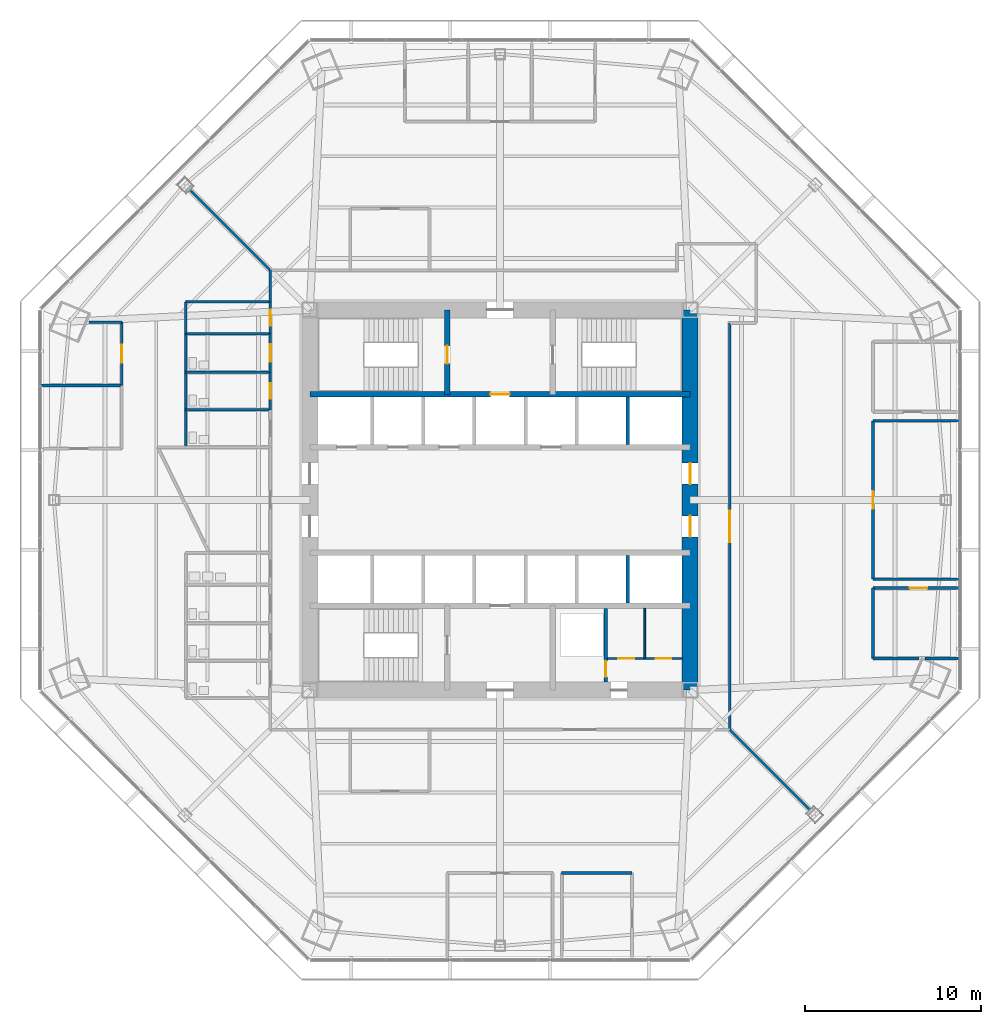
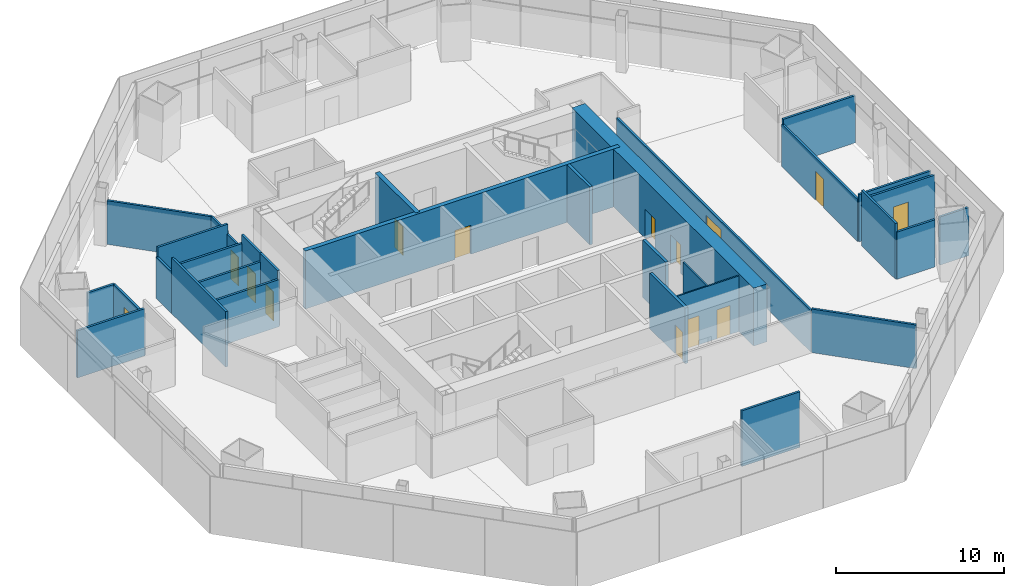
# One storey, part 10 of 15: 32 walls, 14 doors, 14 openings.
"""IFC4 building model written with IfcOpenShell, lengths in metres."""

from ifc_helpers import new_model, si_unit, direction, frame, frame_2d, origin, place, context, subcontext, project, spatial, rectangle, extrude, material, layer, layer_set, type_object, element, fill, save


model = new_model("IFC4")

# Units and contexts
model_context = context("Model", 3, precision=1e-05, world=origin(), true_north=direction((0.0, 1.0)))
body_context = subcontext(model_context, "Body", "Model", "MODEL_VIEW")
ifc_project = project(units=[si_unit("LENGTHUNIT", "METRE"), si_unit("AREAUNIT", "SQUARE_METRE"), si_unit("VOLUMEUNIT", "CUBIC_METRE"), si_unit("PLANEANGLEUNIT", "RADIAN"), si_unit("MASSUNIT", "GRAM", prefix="KILO")], contexts=[model_context])

# Site, building, storey
site_placement = place(None, origin())
site = spatial("IfcSite", under=ifc_project, at=site_placement, CompositionType="ELEMENT")
building_placement = place(site_placement, origin())
building = spatial("IfcBuilding", under=site, at=building_placement, Name="Mashrafa Tower", CompositionType="ELEMENT")
storey_placement = place(building_placement, frame((0.0, 0.0, 66.60009765625)))
storey = spatial("IfcBuildingStorey", under=building, at=storey_placement, Name="L14", CompositionType="ELEMENT", Elevation=66.60009765625)

# Wall, opening, door
ifc_material_1 = material(Name="Concrete masonry unit", Category="masonry")
ifc_layer_1 = layer(ifc_material_1, 0.199951171875)
ifc_layer_set_1 = layer_set([ifc_layer_1], Name="Blockwork wall 200 2 hr")
wall_type_1 = type_object("IfcWallType", Name="Blockwork wall 200 2 hr", PredefinedType="PARTITIONING", material=ifc_layer_set_1)
wall_1_placement = place(storey_placement, frame((6.0, -10.35009765625, 0.0), z_axis=(0.0, 0.0, 1.0), x_axis=(0.0, 1.0, 0.0)))
wall_1 = element("IfcWall", 1, at=wall_1_placement, inside=storey, type_object=wall_type_1, Name="Riser enclosure wall L14", PredefinedType="PARTITIONING", context=body_context, shape_type="SweptSolid", body=[
    extrude(rectangle(XDim=4.2001953125, YDim=0.199951171875, at=frame_2d((2.10009765625, 0.0))), origin(), (0.0, 0.0, 1.0), 4.034912109375),
])
opening_1_placement = place(wall_1_placement, frame((0.300048828125, 0.0, 0.0)))
opening_1 = element("IfcOpeningElement", 2, at=opening_1_placement, cuts=wall_1, Name="Opening 14.034", PredefinedType="OPENING", context=body_context, shape_type="SweptSolid", body=[
    extrude(rectangle(XDim=0.89990234375, YDim=2.10009765625, at=frame_2d((0.449951171875, 1.050048828125))), frame((0.0, 0.10986328125, 0.0), z_axis=(0.0, -1.0, 0.0), x_axis=(1.0, 0.0, 0.0)), (0.0, 0.0, 1.0), 0.219970703125),
])
ifc_material_2 = material(Name="Steel door", Category="steel")
door_type_1 = type_object("IfcDoorType", Name="Service door 900 x 2100 90 min", OperationType="USERDEFINED", PredefinedType="DOOR", material=ifc_material_2)
door_1_placement = place(opening_1_placement, origin())
door_1 = element("IfcDoor", 3, at=door_1_placement, inside=storey, type_object=door_type_1, Name="Riser door L14", OperationType="SINGLE_SWING_LEFT", OverallHeight=2.10009765625, OverallWidth=0.89990234375, PredefinedType="DOOR", context=body_context, shape_type="SweptSolid", body=[
    extrude(rectangle(XDim=0.89990234375, YDim=2.10009765625, at=frame_2d((0.449951171875, 1.050048828125))), frame((0.0, 0.02490234375, 0.0), z_axis=(0.0, -1.0, 0.0), x_axis=(1.0, 0.0, 0.0)), (0.0, 0.0, 1.0), 0.050048828125),
])
fill(opening_1, door_1)

ifc_material_3 = material(Name="Concrete C60/75", Category="concrete")
ifc_layer_2 = layer(ifc_material_3, 0.300048828125)
ifc_layer_set_2 = layer_set([ifc_layer_2], Name="Core wall 300 C60/75")
wall_type_2 = type_object("IfcWallType", Name="Core wall 300 C60/75", PredefinedType="SOLIDWALL", material=ifc_layer_set_2)
wall_2_placement = place(storey_placement, frame((-10.800048828125, 6.0, 0.0), z_axis=(0.0, 0.0, 1.0), x_axis=(1.0, 0.0, 0.0)))
wall_2 = element("IfcWall", 4, at=wall_2_placement, inside=storey, type_object=wall_type_2, Name="Core wall CB-N L14", PredefinedType="SOLIDWALL", context=body_context, shape_type="SweptSolid", body=[
    extrude(rectangle(XDim=21.60009765625, YDim=0.300048828125, at=frame_2d((10.800048828125, 0.0))), origin(), (0.0, 0.0, 1.0), 4.199951171875),
])
opening_2_placement = place(wall_2_placement, frame((10.25, 0.0, 0.0)))
opening_2 = element("IfcOpeningElement", 5, at=opening_2_placement, cuts=wall_2, Name="Opening 14.F1", PredefinedType="OPENING", context=body_context, shape_type="SweptSolid", body=[
    extrude(rectangle(XDim=1.10009765625, YDim=2.10009765625, at=frame_2d((0.550048828125, 1.050048828125))), frame((0.0, 0.159912109375, 0.0), z_axis=(0.0, -1.0, 0.0), x_axis=(1.0, 0.0, 0.0)), (0.0, 0.0, 1.0), 0.320068359375),
])
ifc_material_4 = material(Name="Steel door", Category="steel")
door_type_2 = type_object("IfcDoorType", Name="Lift landing door 1100 x 2100 90 min", OperationType="DOUBLE_DOOR_SLIDING", PredefinedType="DOOR", material=ifc_material_4)
door_2_placement = place(opening_2_placement, origin())
door_2 = element("IfcDoor", 6, at=door_2_placement, inside=storey, type_object=door_type_2, Name="Lift landing door F1 L14", OperationType="DOUBLE_DOOR_SLIDING", OverallHeight=2.10009765625, OverallWidth=1.10009765625, PredefinedType="DOOR", context=body_context, shape_type="SweptSolid", body=[
    extrude(rectangle(XDim=1.10009765625, YDim=2.10009765625, at=frame_2d((0.550048828125, 1.050048828125))), frame((0.0, 0.02490234375, 0.0), z_axis=(0.0, -1.0, 0.0), x_axis=(1.0, 0.0, 0.0)), (0.0, 0.0, 1.0), 0.050048828125),
])
fill(opening_2, door_2)

wall_3_placement = place(storey_placement, frame((-3.0, 6.0, 0.0), z_axis=(0.0, 0.0, 1.0), x_axis=(0.0, 1.0, 0.0)))
wall_3 = element("IfcWall", 7, at=wall_3_placement, inside=storey, type_object=wall_type_2, Name="Core wall CX-NW L14", PredefinedType="SOLIDWALL", context=body_context, shape_type="SweptSolid", body=[
    extrude(rectangle(XDim=4.800048828125, YDim=0.300048828125, at=frame_2d((2.39990234375, 0.0))), origin(), (0.0, 0.0, 1.0), 4.199951171875),
])
opening_3_placement = place(wall_3_placement, frame((1.75, 0.0, 0.0)))
opening_3 = element("IfcOpeningElement", 8, at=opening_3_placement, cuts=wall_3, Name="Opening 14.030", PredefinedType="OPENING", context=body_context, shape_type="SweptSolid", body=[
    extrude(rectangle(XDim=1.0, YDim=2.10009765625, at=frame_2d((0.5, 1.050048828125))), frame((0.0, 0.159912109375, 0.0), z_axis=(0.0, -1.0, 0.0), x_axis=(1.0, 0.0, 0.0)), (0.0, 0.0, 1.0), 0.320068359375),
])
ifc_material_5 = material(Name="Steel door", Category="steel")
door_type_3 = type_object("IfcDoorType", Name="Stair door 1000 x 2100 90 min", OperationType="USERDEFINED", PredefinedType="DOOR", material=ifc_material_5)
door_3_placement = place(opening_3_placement, origin())
door_3 = element("IfcDoor", 9, at=door_3_placement, inside=storey, type_object=door_type_3, Name="Stair S1 door L14", OperationType="SINGLE_SWING_LEFT", OverallHeight=2.10009765625, OverallWidth=1.0, PredefinedType="DOOR", context=body_context, shape_type="SweptSolid", body=[
    extrude(rectangle(XDim=1.0, YDim=2.10009765625, at=frame_2d((0.5, 1.050048828125))), frame((0.0, 0.02490234375, 0.0), z_axis=(0.0, -1.0, 0.0), x_axis=(1.0, 0.0, 0.0)), (0.0, 0.0, 1.0), 0.050048828125),
])
fill(opening_3, door_3)

# Wall, openings, doors
ifc_material_6 = material(Name="Concrete C60/75", Category="concrete")
ifc_layer_3 = layer(ifc_material_6, 0.89990234375)
ifc_layer_set_3 = layer_set([ifc_layer_3], Name="Core wall 900 C60/75")
wall_type_3 = type_object("IfcWallType", Name="Core wall 900 C60/75", PredefinedType="SOLIDWALL", material=ifc_layer_set_3)
wall_4_placement = place(storey_placement, frame((10.800048828125, -10.800048828125, 0.0), z_axis=(0.0, 0.0, 1.0), x_axis=(0.0, 1.0, 0.0)))
wall_4 = element("IfcWall", 10, at=wall_4_placement, inside=storey, type_object=wall_type_3, Name="Core wall CW-E L14", PredefinedType="SOLIDWALL", context=body_context, shape_type="SweptSolid", body=[
    extrude(rectangle(XDim=21.60009765625, YDim=0.89990234375, at=frame_2d((10.800048828125, 0.0))), origin(), (0.0, 0.0, 1.0), 4.199951171875),
])
opening_4_placement = place(wall_4_placement, frame((11.699951171875, 0.0, 0.0)))
opening_4 = element("IfcOpeningElement", 11, at=opening_4_placement, cuts=wall_4, Name="Opening 14.024", PredefinedType="OPENING", context=body_context, shape_type="SweptSolid", body=[
    extrude(rectangle(XDim=1.199951171875, YDim=2.10009765625, at=frame_2d((0.60009765625, 1.050048828125))), frame((0.0, 0.4599609375, 0.0), z_axis=(0.0, -1.0, 0.0), x_axis=(1.0, 0.0, 0.0)), (0.0, 0.0, 1.0), 0.919921875),
])
opening_5_placement = place(wall_4_placement, frame((8.699951171875, 0.0, 0.0)))
opening_5 = element("IfcOpeningElement", 12, at=opening_5_placement, cuts=wall_4, Name="Opening 14.026", PredefinedType="OPENING", context=body_context, shape_type="SweptSolid", body=[
    extrude(rectangle(XDim=1.199951171875, YDim=2.10009765625, at=frame_2d((0.60009765625, 1.050048828125))), frame((0.0, 0.4599609375, 0.0), z_axis=(0.0, -1.0, 0.0), x_axis=(1.0, 0.0, 0.0)), (0.0, 0.0, 1.0), 0.919921875),
])
ifc_material_7 = material(Name="Steel door", Category="steel")
door_type_4 = type_object("IfcDoorType", Name="Lift hall door 1200 x 2100 90 min", OperationType="USERDEFINED", PredefinedType="DOOR", material=ifc_material_7)
door_4_placement = place(opening_4_placement, frame((1.199951171875, 0.0, 0.0), z_axis=(0.0, 0.0, 1.0), x_axis=(-1.0, 0.0, 0.0)))
door_4 = element("IfcDoor", 13, at=door_4_placement, inside=storey, type_object=door_type_4, Name="Lift hall door east L14", OperationType="SINGLE_SWING_LEFT", OverallHeight=2.10009765625, OverallWidth=1.199951171875, PredefinedType="DOOR", context=body_context, shape_type="SweptSolid", body=[
    extrude(rectangle(XDim=1.199951171875, YDim=2.10009765625, at=frame_2d((0.60009765625, 1.050048828125))), frame((0.0, 0.02490234375, 0.0), z_axis=(0.0, -1.0, 0.0), x_axis=(1.0, 0.0, 0.0)), (0.0, 0.0, 1.0), 0.050048828125),
])
fill(opening_4, door_4)
door_5_placement = place(opening_5_placement, origin())
door_5 = element("IfcDoor", 14, at=door_5_placement, inside=storey, type_object=door_type_4, Name="Lift hall door east L14", OperationType="SINGLE_SWING_LEFT", OverallHeight=2.10009765625, OverallWidth=1.199951171875, PredefinedType="DOOR", context=body_context, shape_type="SweptSolid", body=[
    extrude(rectangle(XDim=1.199951171875, YDim=2.10009765625, at=frame_2d((0.60009765625, 1.050048828125))), frame((0.0, 0.02490234375, 0.0), z_axis=(0.0, -1.0, 0.0), x_axis=(1.0, 0.0, 0.0)), (0.0, 0.0, 1.0), 0.050048828125),
])
fill(opening_5, door_5)

# Wall, opening, door
ifc_material_8 = material(Name="Gypsum board on steel studs", Category="steel")
ifc_layer_4 = layer(ifc_material_8, 0.14990234375)
ifc_layer_set_4 = layer_set([ifc_layer_4], Name="Corridor partition 150 1 hr")
wall_type_4 = type_object("IfcWallType", Name="Corridor partition 150 1 hr", PredefinedType="PARTITIONING", material=ifc_layer_set_4)
wall_5_placement = place(storey_placement, frame((-13.050048828125, 7.2509765625, 0.0), z_axis=(0.0, 0.0, 1.0), x_axis=(0.0, -1.0, 0.0)))
wall_5 = element("IfcWall", 15, at=wall_5_placement, inside=storey, type_object=wall_type_4, Name="Corridor wall L14-002", PredefinedType="PARTITIONING", context=body_context, shape_type="SweptSolid", body=[
    extrude(rectangle(XDim=2.126953125, YDim=0.14990234375, at=frame_2d((1.0634765625, 0.0))), origin(), (0.0, 0.0, 1.0), 4.034912109375),
])
opening_6_placement = place(wall_5_placement, frame((0.613525390625, 0.0, 0.0)))
opening_6 = element("IfcOpeningElement", 16, at=opening_6_placement, cuts=wall_5, Name="Opening 14.002", PredefinedType="OPENING", context=body_context, shape_type="SweptSolid", body=[
    extrude(rectangle(XDim=0.89990234375, YDim=2.10009765625, at=frame_2d((0.449951171875, 1.050048828125))), frame((0.0, 0.0849609375, 0.0), z_axis=(0.0, -1.0, 0.0), x_axis=(1.0, 0.0, 0.0)), (0.0, 0.0, 1.0), 0.169921875),
])
ifc_material_9 = material(Name="Timber door", Category="wood")
door_type_5 = type_object("IfcDoorType", Name="Toilet door 900 x 2100", OperationType="USERDEFINED", PredefinedType="DOOR", material=ifc_material_9)
door_6_placement = place(opening_6_placement, frame((0.89990234375, 0.0, 0.0), z_axis=(0.0, 0.0, 1.0), x_axis=(-1.0, 0.0, 0.0)))
door_6 = element("IfcDoor", 17, at=door_6_placement, inside=storey, type_object=door_type_5, Name="WC Male L14 N door", OperationType="SINGLE_SWING_LEFT", OverallHeight=2.10009765625, OverallWidth=0.89990234375, PredefinedType="DOOR", context=body_context, shape_type="SweptSolid", body=[
    extrude(rectangle(XDim=0.89990234375, YDim=2.10009765625, at=frame_2d((0.449951171875, 1.050048828125))), frame((0.0, 0.02490234375, 0.0), z_axis=(0.0, -1.0, 0.0), x_axis=(1.0, 0.0, 0.0)), (0.0, 0.0, 1.0), 0.050048828125),
])
fill(opening_6, door_6)

wall_6_placement = place(storey_placement, frame((-13.050048828125, 9.450927734375, 0.0), z_axis=(0.0, 0.0, 1.0), x_axis=(0.0, -1.0, 0.0)))
wall_6 = element("IfcWall", 18, at=wall_6_placement, inside=storey, type_object=wall_type_4, Name="Corridor wall L14-003", PredefinedType="PARTITIONING", context=body_context, shape_type="SweptSolid", body=[
    extrude(rectangle(XDim=2.201904296875, YDim=0.14990234375, at=frame_2d((1.10107421875, 0.0))), origin(), (0.0, 0.0, 1.0), 4.034912109375),
])
opening_7_placement = place(wall_6_placement, frame((0.60107421875, 0.0, 0.0)))
opening_7 = element("IfcOpeningElement", 19, at=opening_7_placement, cuts=wall_6, Name="Opening 14.003", PredefinedType="OPENING", context=body_context, shape_type="SweptSolid", body=[
    extrude(rectangle(XDim=1.0, YDim=2.10009765625, at=frame_2d((0.5, 1.050048828125))), frame((0.0, 0.0849609375, 0.0), z_axis=(0.0, -1.0, 0.0), x_axis=(1.0, 0.0, 0.0)), (0.0, 0.0, 1.0), 0.169921875),
])
ifc_material_10 = material(Name="Timber door", Category="wood")
door_type_6 = type_object("IfcDoorType", Name="Accessible toilet door 1000 x 2100", OperationType="USERDEFINED", PredefinedType="DOOR", material=ifc_material_10)
door_7_placement = place(opening_7_placement, frame((1.0, 0.0, 0.0), z_axis=(0.0, 0.0, 1.0), x_axis=(-1.0, 0.0, 0.0)))
door_7 = element("IfcDoor", 20, at=door_7_placement, inside=storey, type_object=door_type_6, Name="Accessible WC L14 N door", OperationType="SINGLE_SWING_RIGHT", OverallHeight=2.10009765625, OverallWidth=1.0, PredefinedType="DOOR", context=body_context, shape_type="SweptSolid", body=[
    extrude(rectangle(XDim=1.0, YDim=2.10009765625, at=frame_2d((0.5, 1.050048828125))), frame((0.0, 0.02490234375, 0.0), z_axis=(0.0, -1.0, 0.0), x_axis=(1.0, 0.0, 0.0)), (0.0, 0.0, 1.0), 0.050048828125),
])
fill(opening_7, door_7)

wall_7_placement = place(storey_placement, frame((-13.050048828125, 11.2509765625, 0.0), z_axis=(0.0, 0.0, 1.0), x_axis=(0.0, -1.0, 0.0)))
wall_7 = element("IfcWall", 21, at=wall_7_placement, inside=storey, type_object=wall_type_4, Name="Corridor wall L14-004", PredefinedType="PARTITIONING", context=body_context, shape_type="SweptSolid", body=[
    extrude(rectangle(XDim=1.802001953125, YDim=0.14990234375, at=frame_2d((0.90087890625, 0.0))), origin(), (0.0, 0.0, 1.0), 3.013916015625),
])
opening_8_placement = place(wall_7_placement, frame((0.450927734375, 0.0, 0.0)))
opening_8 = element("IfcOpeningElement", 22, at=opening_8_placement, cuts=wall_7, Name="Opening 14.004", PredefinedType="OPENING", context=body_context, shape_type="SweptSolid", body=[
    extrude(rectangle(XDim=0.89990234375, YDim=2.10009765625, at=frame_2d((0.449951171875, 1.050048828125))), frame((0.0, 0.0849609375, 0.0), z_axis=(0.0, -1.0, 0.0), x_axis=(1.0, 0.0, 0.0)), (0.0, 0.0, 1.0), 0.169921875),
])
ifc_material_11 = material(Name="Timber door", Category="wood")
door_type_7 = type_object("IfcDoorType", Name="Store door 900 x 2100", OperationType="USERDEFINED", PredefinedType="DOOR", material=ifc_material_11)
door_8_placement = place(opening_8_placement, frame((0.89990234375, 0.0, 0.0), z_axis=(0.0, 0.0, 1.0), x_axis=(-1.0, 0.0, 0.0)))
door_8 = element("IfcDoor", 23, at=door_8_placement, inside=storey, type_object=door_type_7, Name="Cleaner's Store L14 N door", OperationType="SINGLE_SWING_LEFT", OverallHeight=2.10009765625, OverallWidth=0.89990234375, PredefinedType="DOOR", context=body_context, shape_type="SweptSolid", body=[
    extrude(rectangle(XDim=0.89990234375, YDim=2.10009765625, at=frame_2d((0.449951171875, 1.050048828125))), frame((0.0, 0.02490234375, 0.0), z_axis=(0.0, -1.0, 0.0), x_axis=(1.0, 0.0, 0.0)), (0.0, 0.0, 1.0), 0.050048828125),
])
fill(opening_8, door_8)

wall_8_placement = place(storey_placement, frame((13.050048828125, -13.050048828125, 0.0), z_axis=(0.0, 0.0, 1.0), x_axis=(0.0, 1.0, 0.0)))
wall_8 = element("IfcWall", 24, at=wall_8_placement, inside=storey, type_object=wall_type_4, Name="Corridor wall L14-013", PredefinedType="PARTITIONING", context=body_context, shape_type="SweptSolid", body=[
    extrude(rectangle(XDim=23.10009765625, YDim=0.14990234375, at=frame_2d((11.550048828125, 0.0))), origin(), (0.0, 0.0, 1.0), 3.013916015625),
])
opening_9_placement = place(wall_8_placement, frame((10.64990234375, 0.0, 0.0)))
opening_9 = element("IfcOpeningElement", 25, at=opening_9_placement, cuts=wall_8, Name="Opening 14.022", PredefinedType="OPENING", context=body_context, shape_type="SweptSolid", body=[
    extrude(rectangle(XDim=1.800048828125, YDim=2.39990234375, at=frame_2d((0.89990234375, 1.199951171875))), frame((0.0, 0.0849609375, 0.0), z_axis=(0.0, -1.0, 0.0), x_axis=(1.0, 0.0, 0.0)), (0.0, 0.0, 1.0), 0.169921875),
])
ifc_material_12 = material(Name="Timber door", Category="wood")
door_type_8 = type_object("IfcDoorType", Name="Door pair 1800 x 2400", OperationType="DOUBLE_DOOR_SINGLE_SWING", PredefinedType="DOOR", material=ifc_material_12)
door_9_placement = place(opening_9_placement, origin())
door_9 = element("IfcDoor", 26, at=door_9_placement, inside=storey, type_object=door_type_8, Name="Office Tenancy 14-A door", OperationType="DOUBLE_DOOR_SINGLE_SWING", OverallHeight=2.39990234375, OverallWidth=1.800048828125, PredefinedType="DOOR", context=body_context, shape_type="SweptSolid", body=[
    extrude(rectangle(XDim=1.800048828125, YDim=2.39990234375, at=frame_2d((0.89990234375, 1.199951171875))), frame((0.0, 0.02490234375, 0.0), z_axis=(0.0, -1.0, 0.0), x_axis=(1.0, 0.0, 0.0)), (0.0, 0.0, 1.0), 0.050048828125),
])
fill(opening_9, door_9)

# Wall
wall_9_placement = place(storey_placement, frame((-13.050048828125, 13.050048828125, 0.0), z_axis=(0.0, 0.0, 1.0), x_axis=(0.0, -1.0, 0.0)))
element("IfcWall", 27, at=wall_9_placement, inside=storey, type_object=wall_type_4, Name="Corridor wall L14-021", PredefinedType="PARTITIONING", context=body_context, shape_type="SweptSolid", body=[
    extrude(rectangle(XDim=1.801025390625, YDim=0.14990234375, at=frame_2d((0.900390625, 0.0))), origin(), (0.0, 0.0, 1.0), 3.16650390625),
])

# Wall, openings, doors
ifc_material_13 = material(Name="Gypsum board on steel studs", Category="steel")
ifc_layer_5 = layer(ifc_material_13, 0.10009765625)
ifc_layer_set_5 = layer_set([ifc_layer_5], Name="Partition 100 1 hr")
wall_type_5 = type_object("IfcWallType", Name="Partition 100 1 hr", PredefinedType="PARTITIONING", material=ifc_layer_set_5)
wall_10_placement = place(storey_placement, frame((6.10009765625, -9.0, 0.0), z_axis=(0.0, 0.0, 1.0), x_axis=(1.0, 0.0, 0.0)))
wall_10 = element("IfcWall", 28, at=wall_10_placement, inside=storey, type_object=wall_type_5, Name="Services lobby partition A L14", PredefinedType="PARTITIONING", context=body_context, shape_type="SweptSolid", body=[
    extrude(rectangle(XDim=4.25, YDim=0.10009765625, at=frame_2d((2.125, 0.0))), origin(), (0.0, 0.0, 1.0), 4.034912109375),
])
opening_10_placement = place(wall_10_placement, frame((0.612548828125, 0.0, 0.0)))
opening_10 = element("IfcOpeningElement", 29, at=opening_10_placement, cuts=wall_10, Name="Opening 14.035", PredefinedType="OPENING", context=body_context, shape_type="SweptSolid", body=[
    extrude(rectangle(XDim=0.89990234375, YDim=2.10009765625, at=frame_2d((0.449951171875, 1.050048828125))), frame((0.0, 0.06005859375, 0.0), z_axis=(0.0, -1.0, 0.0), x_axis=(1.0, 0.0, 0.0)), (0.0, 0.0, 1.0), 0.1201171875),
])
opening_11_placement = place(wall_10_placement, frame((2.737548828125, 0.0, 0.0)))
opening_11 = element("IfcOpeningElement", 30, at=opening_11_placement, cuts=wall_10, Name="Opening 14.036", PredefinedType="OPENING", context=body_context, shape_type="SweptSolid", body=[
    extrude(rectangle(XDim=0.89990234375, YDim=2.10009765625, at=frame_2d((0.449951171875, 1.050048828125))), frame((0.0, 0.06005859375, 0.0), z_axis=(0.0, -1.0, 0.0), x_axis=(1.0, 0.0, 0.0)), (0.0, 0.0, 1.0), 0.1201171875),
])
door_10_placement = place(opening_10_placement, origin())
door_10 = element("IfcDoor", 31, at=door_10_placement, inside=storey, type_object=door_type_7, Name="Communications Room L14 door", OperationType="SINGLE_SWING_RIGHT", OverallHeight=2.10009765625, OverallWidth=0.89990234375, PredefinedType="DOOR", context=body_context, shape_type="SweptSolid", body=[
    extrude(rectangle(XDim=0.89990234375, YDim=2.10009765625, at=frame_2d((0.449951171875, 1.050048828125))), frame((0.0, 0.02490234375, 0.0), z_axis=(0.0, -1.0, 0.0), x_axis=(1.0, 0.0, 0.0)), (0.0, 0.0, 1.0), 0.050048828125),
])
fill(opening_10, door_10)
door_11_placement = place(opening_11_placement, origin())
door_11 = element("IfcDoor", 32, at=door_11_placement, inside=storey, type_object=door_type_7, Name="Cleaner's Store L14 door", OperationType="SINGLE_SWING_LEFT", OverallHeight=2.10009765625, OverallWidth=0.89990234375, PredefinedType="DOOR", context=body_context, shape_type="SweptSolid", body=[
    extrude(rectangle(XDim=0.89990234375, YDim=2.10009765625, at=frame_2d((0.449951171875, 1.050048828125))), frame((0.0, 0.02490234375, 0.0), z_axis=(0.0, -1.0, 0.0), x_axis=(1.0, 0.0, 0.0)), (0.0, 0.0, 1.0), 0.050048828125),
])
fill(opening_11, door_11)

# Walls
wall_11_placement = place(storey_placement, frame((8.22509765625, -9.0, 0.0), z_axis=(0.0, 0.0, 1.0), x_axis=(0.0, 1.0, 0.0)))
element("IfcWall", 33, at=wall_11_placement, inside=storey, type_object=wall_type_5, Name="Services lobby partition B L14", PredefinedType="PARTITIONING", context=body_context, shape_type="SweptSolid", body=[
    extrude(rectangle(XDim=2.85009765625, YDim=0.10009765625, at=frame_2d((1.425048828125, 0.0))), origin(), (0.0, 0.0, 1.0), 4.034912109375),
])
ifc_material_14 = material(Name="Gypsum board on steel studs", Category="steel")
ifc_layer_6 = layer(ifc_material_14, 0.14990234375)
ifc_layer_set_6 = layer_set([ifc_layer_6], Name="Partition 150")
wall_type_6 = type_object("IfcWallType", Name="Partition 150", PredefinedType="PARTITIONING", material=ifc_layer_set_6)
wall_12_placement = place(storey_placement, frame((-13.050048828125, 5.125, 0.0), z_axis=(0.0, 0.0, 1.0), x_axis=(-1.0, 0.0, 0.0)))
element("IfcWall", 34, at=wall_12_placement, inside=storey, type_object=wall_type_6, Name="Partition wall L14-023", PredefinedType="PARTITIONING", context=body_context, shape_type="SweptSolid", body=[
    extrude(rectangle(XDim=4.800048828125, YDim=0.14990234375, at=frame_2d((2.39990234375, 0.0))), origin(), (0.0, 0.0, 1.0), 3.4228515625),
])
wall_13_placement = place(storey_placement, frame((-17.85009765625, 3.0, 0.0), z_axis=(0.0, 0.0, 1.0), x_axis=(0.0, 1.0, 0.0)))
element("IfcWall", 35, at=wall_13_placement, inside=storey, type_object=wall_type_6, Name="Partition wall L14-025", PredefinedType="PARTITIONING", context=body_context, shape_type="SweptSolid", body=[
    extrude(rectangle(XDim=6.449951171875, YDim=0.14990234375, at=frame_2d((3.22509765625, 0.0))), origin(), (0.0, 0.0, 1.0), 4.034912109375),
])
for number, where, z_axis, x_axis, name in (
    (36, (-13.050048828125, 7.25, 0.0), (0.0, 0.0, 1.0), (-1.0, 0.0, 0.0), "Partition wall L14-026"),
    (37, (-13.050048828125, 9.449951171875, 0.0), (0.0, 0.0, 1.0), (-1.0, 0.0, 0.0), "Partition wall L14-028"),
):
    element("IfcWall", number, at=place(storey_placement, frame(where, z_axis=z_axis, x_axis=x_axis)), inside=storey, type_object=wall_type_6, Name=name, PredefinedType="PARTITIONING", context=body_context, shape_type="SweptSolid", body=[
        extrude(rectangle(XDim=4.800048828125, YDim=0.14990234375, at=frame_2d((2.39990234375, 0.0))), origin(), (0.0, 0.0, 1.0), 3.4228515625),
    ])
wall_14_placement = place(storey_placement, frame((-13.050048828125, 11.25, 0.0), z_axis=(0.0, 0.0, 1.0), x_axis=(-1.0, 0.0, 0.0)))
element("IfcWall", 38, at=wall_14_placement, inside=storey, type_object=wall_type_6, Name="Partition wall L14-030", PredefinedType="PARTITIONING", context=body_context, shape_type="SweptSolid", body=[
    extrude(rectangle(XDim=4.800048828125, YDim=0.14990234375, at=frame_2d((2.39990234375, 0.0))), origin(), (0.0, 0.0, 1.0), 3.715087890625),
])
wall_15_placement = place(storey_placement, frame((-17.85009765625, 11.25, 0.0), z_axis=(0.0, 0.0, 1.0), x_axis=(0.0, -1.0, 0.0)))
element("IfcWall", 39, at=wall_15_placement, inside=storey, type_object=wall_type_6, Name="Partition wall L14-031", PredefinedType="PARTITIONING", context=body_context, shape_type="SweptSolid", body=[
    extrude(rectangle(XDim=1.800048828125, YDim=0.14990234375, at=frame_2d((0.89990234375, 0.0))), origin(), (0.0, 0.0, 1.0), 3.013916015625),
])
wall_16_placement = place(storey_placement, frame((26.11279296875, 4.5, 0.0), z_axis=(0.0, 0.0, 1.0), x_axis=(-1.0, 0.0, 0.0)))
element("IfcWall", 40, at=wall_16_placement, inside=storey, type_object=wall_type_6, Name="Partition wall L14-044", PredefinedType="PARTITIONING", context=body_context, shape_type="SweptSolid", body=[
    extrude(rectangle(XDim=4.93212890625, YDim=0.14990234375, at=frame_2d((2.466064453125, 0.0))), origin(), (0.0, 0.0, 1.0), 3.4228515625),
])

# Wall, opening, door
wall_17_placement = place(storey_placement, frame((21.1806640625, 4.5, 0.0), z_axis=(0.0, 0.0, 1.0), x_axis=(0.0, -1.0, 0.0)))
wall_17 = element("IfcWall", 41, at=wall_17_placement, inside=storey, type_object=wall_type_6, Name="Partition wall L14-045", PredefinedType="PARTITIONING", context=body_context, shape_type="SweptSolid", body=[
    extrude(rectangle(XDim=9.0, YDim=0.14990234375, at=frame_2d((4.5, 0.0))), origin(), (0.0, 0.0, 1.0), 3.064697265625),
])
opening_12_placement = place(wall_17_placement, frame((4.0, 0.0, 0.0)))
opening_12 = element("IfcOpeningElement", 42, at=opening_12_placement, cuts=wall_17, Name="Opening 14.010", PredefinedType="OPENING", context=body_context, shape_type="SweptSolid", body=[
    extrude(rectangle(XDim=1.0, YDim=2.10009765625, at=frame_2d((0.5, 1.050048828125))), frame((0.0, 0.0849609375, 0.0), z_axis=(0.0, -1.0, 0.0), x_axis=(1.0, 0.0, 0.0)), (0.0, 0.0, 1.0), 0.169921875),
])
ifc_material_15 = material(Name="Timber door", Category="wood")
door_type_9 = type_object("IfcDoorType", Name="Door 1000 x 2100", OperationType="USERDEFINED", PredefinedType="DOOR", material=ifc_material_15)
door_12_placement = place(opening_12_placement, origin())
door_12 = element("IfcDoor", 43, at=door_12_placement, inside=storey, type_object=door_type_9, Name="Meeting Room 14-A door", OperationType="SINGLE_SWING_LEFT", OverallHeight=2.10009765625, OverallWidth=1.0, PredefinedType="DOOR", context=body_context, shape_type="SweptSolid", body=[
    extrude(rectangle(XDim=1.0, YDim=2.10009765625, at=frame_2d((0.5, 1.050048828125))), frame((0.0, 0.02490234375, 0.0), z_axis=(0.0, -1.0, 0.0), x_axis=(1.0, 0.0, 0.0)), (0.0, 0.0, 1.0), 0.050048828125),
])
fill(opening_12, door_12)

# Walls
wall_18_placement = place(storey_placement, frame((21.1806640625, -4.5, 0.0), z_axis=(0.0, 0.0, 1.0), x_axis=(1.0, 0.0, 0.0)))
element("IfcWall", 44, at=wall_18_placement, inside=storey, type_object=wall_type_6, Name="Partition wall L14-046", PredefinedType="PARTITIONING", context=body_context, shape_type="SweptSolid", body=[
    extrude(rectangle(XDim=4.93212890625, YDim=0.14990234375, at=frame_2d((2.466064453125, 0.0))), origin(), (0.0, 0.0, 1.0), 3.4228515625),
])
wall_19_placement = place(storey_placement, frame((-26.11279296875, 6.50390625, 0.0), z_axis=(0.0, 0.0, 1.0), x_axis=(1.0, 0.0, 0.0)))
element("IfcWall", 45, at=wall_19_placement, inside=storey, type_object=wall_type_6, Name="Partition wall L14-063", PredefinedType="PARTITIONING", context=body_context, shape_type="SweptSolid", body=[
    extrude(rectangle(XDim=4.632080078125, YDim=0.14990234375, at=frame_2d((2.31591796875, 0.0))), origin(), (0.0, 0.0, 1.0), 3.4228515625),
])

# Wall, opening, door
wall_20_placement = place(storey_placement, frame((-21.480712890625, 6.50390625, 0.0), z_axis=(0.0, 0.0, 1.0), x_axis=(0.0, 1.0, 0.0)))
wall_20 = element("IfcWall", 46, at=wall_20_placement, inside=storey, type_object=wall_type_6, Name="Partition wall L14-064", PredefinedType="PARTITIONING", context=body_context, shape_type="SweptSolid", body=[
    extrude(rectangle(XDim=3.60009765625, YDim=0.14990234375, at=frame_2d((1.800048828125, 0.0))), origin(), (0.0, 0.0, 1.0), 3.013916015625),
])
opening_13_placement = place(wall_20_placement, frame((1.300048828125, 0.0, 0.0)))
opening_13 = element("IfcOpeningElement", 47, at=opening_13_placement, cuts=wall_20, Name="Opening 14.017", PredefinedType="OPENING", context=body_context, shape_type="SweptSolid", body=[
    extrude(rectangle(XDim=1.0, YDim=2.10009765625, at=frame_2d((0.5, 1.050048828125))), frame((0.0, 0.0849609375, 0.0), z_axis=(0.0, -1.0, 0.0), x_axis=(1.0, 0.0, 0.0)), (0.0, 0.0, 1.0), 0.169921875),
])
door_13_placement = place(opening_13_placement, origin())
door_13 = element("IfcDoor", 48, at=door_13_placement, inside=storey, type_object=door_type_9, Name="Office 14-B-1 door", OperationType="SINGLE_SWING_RIGHT", OverallHeight=2.10009765625, OverallWidth=1.0, PredefinedType="DOOR", context=body_context, shape_type="SweptSolid", body=[
    extrude(rectangle(XDim=1.0, YDim=2.10009765625, at=frame_2d((0.5, 1.050048828125))), frame((0.0, 0.02490234375, 0.0), z_axis=(0.0, -1.0, 0.0), x_axis=(1.0, 0.0, 0.0)), (0.0, 0.0, 1.0), 0.050048828125),
])
fill(opening_13, door_13)

# Wall
wall_21_placement = place(storey_placement, frame((-21.480712890625, 10.10400390625, 0.0), z_axis=(0.0, 0.0, 1.0), x_axis=(-1.0, 0.0, 0.0)))
element("IfcWall", 49, at=wall_21_placement, inside=storey, type_object=wall_type_6, Name="Partition wall L14-065", PredefinedType="PARTITIONING", context=body_context, shape_type="SweptSolid", body=[
    extrude(rectangle(XDim=1.84765625, YDim=0.14990234375, at=frame_2d((0.923828125, 0.0))), origin(), (0.0, 0.0, 1.0), 3.013916015625),
])

# Wall, opening, door
wall_22_placement = place(storey_placement, frame((26.11474609375, -5.0, 0.0), z_axis=(0.0, 0.0, 1.0), x_axis=(-1.0, 0.0, 0.0)))
wall_22 = element("IfcWall", 50, at=wall_22_placement, inside=storey, type_object=wall_type_6, Name="Partition wall L14-072", PredefinedType="PARTITIONING", context=body_context, shape_type="SweptSolid", body=[
    extrude(rectangle(XDim=4.93408203125, YDim=0.14990234375, at=frame_2d((2.467041015625, 0.0))), origin(), (0.0, 0.0, 1.0), 3.4228515625),
])
opening_14_placement = place(wall_22_placement, frame((1.84912109375, 0.0, 0.0)))
opening_14 = element("IfcOpeningElement", 51, at=opening_14_placement, cuts=wall_22, Name="Opening 14.020", PredefinedType="OPENING", context=body_context, shape_type="SweptSolid", body=[
    extrude(rectangle(XDim=1.0, YDim=2.10009765625, at=frame_2d((0.5, 1.050048828125))), frame((0.0, 0.0849609375, 0.0), z_axis=(0.0, -1.0, 0.0), x_axis=(1.0, 0.0, 0.0)), (0.0, 0.0, 1.0), 0.169921875),
])
door_14_placement = place(opening_14_placement, origin())
door_14 = element("IfcDoor", 52, at=door_14_placement, inside=storey, type_object=door_type_9, Name="Project Meeting Room 14-A2 door", OperationType="SINGLE_SWING_LEFT", OverallHeight=2.10009765625, OverallWidth=1.0, PredefinedType="DOOR", context=body_context, shape_type="SweptSolid", body=[
    extrude(rectangle(XDim=1.0, YDim=2.10009765625, at=frame_2d((0.5, 1.050048828125))), frame((0.0, 0.02490234375, 0.0), z_axis=(0.0, -1.0, 0.0), x_axis=(1.0, 0.0, 0.0)), (0.0, 0.0, 1.0), 0.050048828125),
])
fill(opening_14, door_14)

# Walls
wall_23_placement = place(storey_placement, frame((21.1806640625, -5.0, 0.0), z_axis=(0.0, 0.0, 1.0), x_axis=(0.0, -1.0, 0.0)))
element("IfcWall", 53, at=wall_23_placement, inside=storey, type_object=wall_type_6, Name="Partition wall L14-073", PredefinedType="PARTITIONING", context=body_context, shape_type="SweptSolid", body=[
    extrude(rectangle(XDim=4.0, YDim=0.14990234375, at=frame_2d((2.0, 0.0))), origin(), (0.0, 0.0, 1.0), 4.034912109375),
])
wall_24_placement = place(storey_placement, frame((21.1806640625, -9.0, 0.0), z_axis=(0.0, 0.0, 1.0), x_axis=(1.0, 0.0, 0.0)))
element("IfcWall", 54, at=wall_24_placement, inside=storey, type_object=wall_type_6, Name="Partition wall L14-074", PredefinedType="PARTITIONING", context=body_context, shape_type="SweptSolid", body=[
    extrude(rectangle(XDim=2.60498046875, YDim=0.14990234375, at=frame_2d((1.302490234375, 0.0))), origin(), (0.0, 0.0, 1.0), 3.4228515625),
])
wall_25_placement = place(storey_placement, frame((24.12939453125, -9.0, 0.0), z_axis=(0.0, 0.0, 1.0), x_axis=(1.0, 0.0, 0.0)))
element("IfcWall", 55, at=wall_25_placement, inside=storey, type_object=wall_type_6, Name="Partition wall L14-075", PredefinedType="PARTITIONING", context=body_context, shape_type="SweptSolid", body=[
    extrude(rectangle(XDim=1.9833984375, YDim=0.14990234375, at=frame_2d((0.99169921875, 0.0))), origin(), (0.0, 0.0, 1.0), 3.49658203125),
])
wall_26_placement = place(storey_placement, frame((7.5, -21.1806640625, 0.0), z_axis=(0.0, 0.0, 1.0), x_axis=(-1.0, 0.0, 0.0)))
element("IfcWall", 56, at=wall_26_placement, inside=storey, type_object=wall_type_6, Name="Partition wall L14-077", PredefinedType="PARTITIONING", context=body_context, shape_type="SweptSolid", body=[
    extrude(rectangle(XDim=4.0, YDim=0.14990234375, at=frame_2d((2.0, 0.0))), origin(), (0.0, 0.0, 1.0), 4.034912109375),
])
for number, where, z_axis, x_axis, name in (
    (57, (-17.601806640625, 17.601806640625, 0.0), (0.0, 0.0, 1.0), (0.707106781187, -0.707106781187, 0.0), "Partition wall L14-079"),
    (58, (13.050048828125, -13.050048828125, 0.0), (0.0, 0.0, 1.0), (0.707106781187, -0.707106781187, 0.0), "Partition wall L14-080"),
):
    element("IfcWall", number, at=place(storey_placement, frame(where, z_axis=z_axis, x_axis=x_axis)), inside=storey, type_object=wall_type_6, Name=name, PredefinedType="PARTITIONING", context=body_context, shape_type="SweptSolid", body=[
        extrude(rectangle(XDim=6.437255859375, YDim=0.14990234375, at=frame_2d((3.21875, 0.0))), origin(), (0.0, 0.0, 1.0), 3.16650390625),
    ])
ifc_material_16 = material(Name="Gypsum shaft wall on steel studs", Category="steel")
ifc_layer_7 = layer(ifc_material_16, 0.199951171875)
ifc_layer_set_7 = layer_set([ifc_layer_7], Name="Shaft divider wall 200 2 hr")
wall_type_7 = type_object("IfcWallType", Name="Shaft divider wall 200 2 hr", PredefinedType="PARTITIONING", material=ifc_layer_set_7)
for number, where, z_axis, x_axis, name in (
    (59, (7.25, 3.14990234375, 0.0), (0.0, 0.0, 1.0), (0.0, 1.0, 0.0), "Shaft divider wall N6 L14"),
    (60, (7.25, -5.85009765625, 0.0), (0.0, 0.0, 1.0), (0.0, 1.0, 0.0), "Shaft divider wall S6 L14"),
):
    element("IfcWall", number, at=place(storey_placement, frame(where, z_axis=z_axis, x_axis=x_axis)), inside=storey, type_object=wall_type_7, Name=name, PredefinedType="PARTITIONING", context=body_context, shape_type="SweptSolid", body=[
        extrude(rectangle(XDim=2.7001953125, YDim=0.199951171875, at=frame_2d((1.35009765625, 0.0))), origin(), (0.0, 0.0, 1.0), 4.199951171875),
    ])

save(model, "model.ifc")
